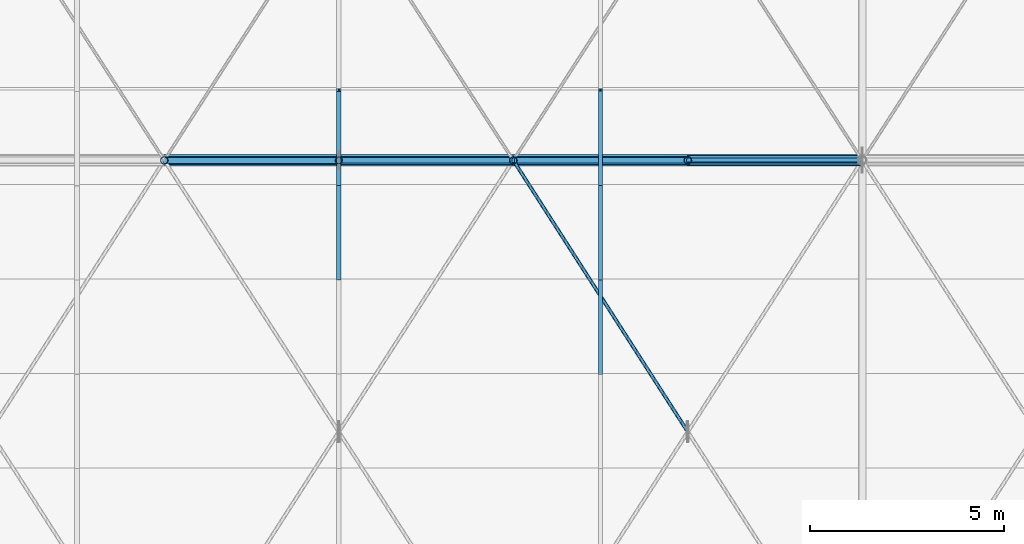
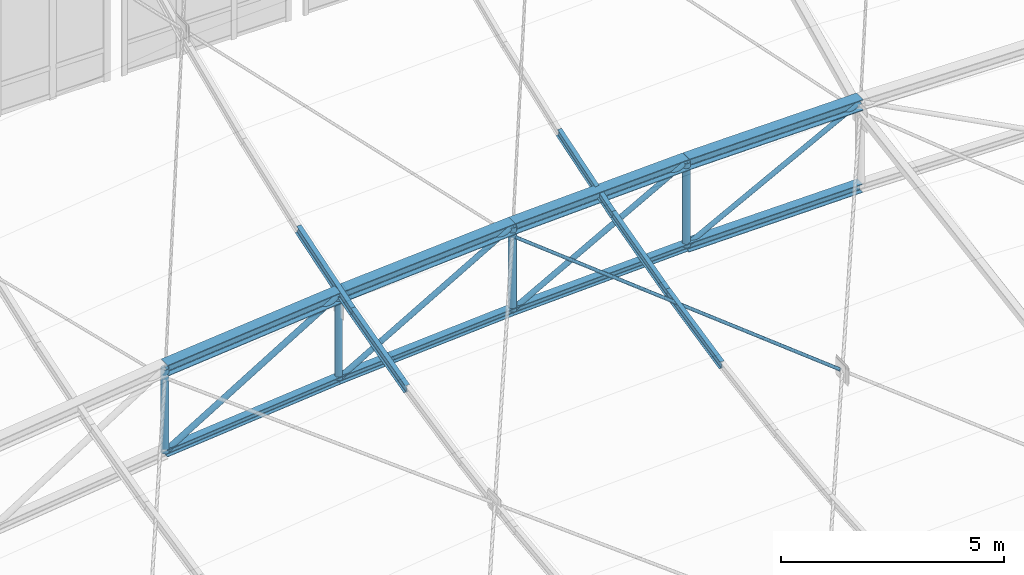
# One storey, part 177 of 262: 22 members.
"""IFC4 building model written with IfcOpenShell, lengths in metres."""

from ifc_helpers import new_model, si_unit, derived_unit, direction, frame, origin, origin_2d, place, context, subcontext, project, spatial, hollow_circle, i_section, extrude, material, material_profile, profile_set, type_object, element, save


model = new_model("IFC4")

# Units and contexts
model_context = context("Model", 3, precision=1e-05, world=origin(), true_north=direction((0.0, 1.0)))
body_context = subcontext(model_context, "Body", "Model", "MODEL_VIEW")
ifc_project = project(units=[si_unit("LENGTHUNIT", "METRE"), si_unit("AREAUNIT", "SQUARE_METRE"), si_unit("VOLUMEUNIT", "CUBIC_METRE"), si_unit("PLANEANGLEUNIT", "RADIAN"), si_unit("MASSUNIT", "GRAM", prefix="KILO"), derived_unit("THERMALTRANSMITTANCEUNIT", [(si_unit("POWERUNIT", "WATT"), 1), (si_unit("LENGTHUNIT", "METRE"), -2), (si_unit("THERMODYNAMICTEMPERATUREUNIT", "KELVIN"), -1)])], contexts=[model_context])

# Site, building, storey
site_placement = place(None, origin())
site = spatial("IfcSite", under=ifc_project, at=site_placement, CompositionType="ELEMENT")
building_placement = place(site_placement, origin())
building = spatial("IfcBuilding", under=site, at=building_placement, Name="Almenara Railside Exhibition Hall", CompositionType="ELEMENT")
storey_placement = place(building_placement, frame((0.0, 0.0, 21.699951171875)))
storey = spatial("IfcBuildingStorey", under=building, at=storey_placement, Name="RF", CompositionType="ELEMENT", Elevation=21.699951171875)

# Members
ifc_material = material(Name="Structural steel S355JR", Category="steel")
ifc_material_profile_1 = material_profile(ifc_material, i_section(OverallWidth=0.239990234375, OverallDepth=0.239990234375, WebThickness=0.010009765625, FlangeThickness=0.01708984375, FilletRadius=0.02099609375, at=origin_2d()), Name="HEB 240")
ifc_profile_set_1 = profile_set([ifc_material_profile_1], Name="Structural steel S355JR")
member_type_1 = type_object("IfcMemberType", Name="Arched Crown Bottom Chord HEB 240 S355JR", PredefinedType="CHORD", material=ifc_profile_set_1)
member_1_placement = place(storey_placement, frame((160.5, 118.0, -5.177490234375), z_axis=(0.999908030213, 0.0, 0.013562120635), x_axis=(0.0, 1.0, 0.0)))
element("IfcMember", 1, at=member_1_placement, inside=storey, type_object=member_type_1, Name="MEM-BC-V2-06-05", PredefinedType="CHORD", context=body_context, shape_type="SweptSolid", body=[
    extrude(i_section(OverallWidth=0.239990234375, OverallDepth=0.239990234375, WebThickness=0.010009765625, FlangeThickness=0.01708984375, FilletRadius=0.02099609375, at=origin_2d()), origin(), (0.0, 0.0, 1.0), 4.50048828125),
])
ifc_material_profile_2 = material_profile(ifc_material, i_section(OverallWidth=0.300048828125, OverallDepth=0.300048828125, WebThickness=0.010986328125, FlangeThickness=0.01904296875, FilletRadius=0.027099609375, at=origin_2d()), Name="HEB 300")
ifc_profile_set_2 = profile_set([ifc_material_profile_2], Name="Structural steel S355JR")
member_type_2 = type_object("IfcMemberType", Name="Arched Inner Top Chord HEB 300 S355JR", PredefinedType="CHORD", material=ifc_profile_set_2)
member_2_placement = place(storey_placement, frame((147.0, 118.0, -3.794189453125), z_axis=(0.995512933083, 0.0, 0.094625578275), x_axis=(0.0, 1.0, 0.0)))
element("IfcMember", 2, at=member_2_placement, inside=storey, type_object=member_type_2, Name="MEM-TC-V2-06-02", PredefinedType="CHORD", context=body_context, shape_type="SweptSolid", body=[
    extrude(i_section(OverallWidth=0.300048828125, OverallDepth=0.300048828125, WebThickness=0.010986328125, FlangeThickness=0.01904296875, FilletRadius=0.027099609375, at=origin_2d()), origin(), (0.0, 0.0, 1.0), 4.520263671875),
])
member_3_placement = place(storey_placement, frame((151.5, 118.0, -3.366455078125), z_axis=(0.997701025897, 0.0, 0.067769188608), x_axis=(0.0, 1.0, 0.0)))
element("IfcMember", 3, at=member_3_placement, inside=storey, type_object=member_type_2, Name="MEM-TC-V2-06-03", PredefinedType="CHORD", context=body_context, shape_type="SweptSolid", body=[
    extrude(i_section(OverallWidth=0.300048828125, OverallDepth=0.300048828125, WebThickness=0.010986328125, FlangeThickness=0.01904296875, FilletRadius=0.027099609375, at=origin_2d()), origin(), (0.0, 0.0, 1.0), 4.51025390625),
])
member_4_placement = place(storey_placement, frame((156.0, 118.0, -3.060791015625), z_axis=(0.99917098071, 0.0, 0.04071057978), x_axis=(0.0, 1.0, 0.0)))
element("IfcMember", 4, at=member_4_placement, inside=storey, type_object=member_type_2, Name="MEM-TC-V2-06-04", PredefinedType="CHORD", context=body_context, shape_type="SweptSolid", body=[
    extrude(i_section(OverallWidth=0.300048828125, OverallDepth=0.300048828125, WebThickness=0.010986328125, FlangeThickness=0.01904296875, FilletRadius=0.027099609375, at=origin_2d()), origin(), (0.0, 0.0, 1.0), 4.503662109375),
])
member_5_placement = place(storey_placement, frame((160.5, 118.0, -2.87744140625), z_axis=(0.999908030213, 0.0, 0.013562120635), x_axis=(0.0, 1.0, 0.0)))
element("IfcMember", 5, at=member_5_placement, inside=storey, type_object=member_type_2, Name="MEM-TC-V2-06-05", PredefinedType="CHORD", context=body_context, shape_type="SweptSolid", body=[
    extrude(i_section(OverallWidth=0.300048828125, OverallDepth=0.300048828125, WebThickness=0.010986328125, FlangeThickness=0.01904296875, FilletRadius=0.027099609375, at=origin_2d()), origin(), (0.0, 0.0, 1.0), 4.50048828125),
])
ifc_material_profile_3 = material_profile(ifc_material, i_section(OverallWidth=0.199951171875, OverallDepth=0.199951171875, WebThickness=0.009033203125, FlangeThickness=0.014892578125, FilletRadius=0.01806640625, at=origin_2d()), Name="HEB 200")
ifc_profile_set_3 = profile_set([ifc_material_profile_3], Name="Structural steel S355JR")
member_type_3 = type_object("IfcMemberType", Name="Canopy Collar Chord HEB 200 S355JR", PredefinedType="CHORD", material=ifc_profile_set_3)
member_6_placement = place(storey_placement, frame((147.0, 118.0, -6.09423828125), z_axis=(0.995512933083, 0.0, 0.094625578275), x_axis=(0.0, 1.0, 0.0)))
element("IfcMember", 6, at=member_6_placement, inside=storey, type_object=member_type_3, Name="MEM-BC-V2-06-02", PredefinedType="CHORD", context=body_context, shape_type="SweptSolid", body=[
    extrude(i_section(OverallWidth=0.199951171875, OverallDepth=0.199951171875, WebThickness=0.009033203125, FlangeThickness=0.014892578125, FilletRadius=0.01806640625, at=origin_2d()), origin(), (0.0, 0.0, 1.0), 4.520263671875),
])
member_7_placement = place(storey_placement, frame((151.5, 118.0, -5.66650390625), z_axis=(0.997701025897, 0.0, 0.067769188608), x_axis=(0.0, 1.0, 0.0)))
element("IfcMember", 7, at=member_7_placement, inside=storey, type_object=member_type_3, Name="MEM-BC-V2-06-03", PredefinedType="CHORD", context=body_context, shape_type="SweptSolid", body=[
    extrude(i_section(OverallWidth=0.199951171875, OverallDepth=0.199951171875, WebThickness=0.009033203125, FlangeThickness=0.014892578125, FilletRadius=0.01806640625, at=origin_2d()), origin(), (0.0, 0.0, 1.0), 4.51025390625),
])
member_8_placement = place(storey_placement, frame((156.0, 118.0, -5.36083984375), z_axis=(0.99917098071, 0.0, 0.04071057978), x_axis=(0.0, 1.0, 0.0)))
element("IfcMember", 8, at=member_8_placement, inside=storey, type_object=member_type_3, Name="MEM-BC-V2-06-04", PredefinedType="CHORD", context=body_context, shape_type="SweptSolid", body=[
    extrude(i_section(OverallWidth=0.199951171875, OverallDepth=0.199951171875, WebThickness=0.009033203125, FlangeThickness=0.014892578125, FilletRadius=0.01806640625, at=origin_2d()), origin(), (0.0, 0.0, 1.0), 4.503662109375),
])
ifc_material_profile_4 = material_profile(ifc_material, hollow_circle(Radius=0.04443359375, WallThickness=0.00390625, at=origin_2d()), Name="CHS 88.9x4")
ifc_profile_set_4 = profile_set([ifc_material_profile_4], Name="Structural steel S355JR")
member_type_4 = type_object("IfcMemberType", Name="Canopy Tie Brace CHS 88.9x4 S355JR", PredefinedType="BRACE", material=ifc_profile_set_4)
member_9_placement = place(storey_placement, frame((160.47412109375, 111.04052734375, -4.34716796875), z_axis=(-0.536816035855, 0.835014619562, 0.120744063069), x_axis=(-0.84116888765, -0.540772505264, 0.0)))
element("IfcMember", 9, at=member_9_placement, inside=storey, type_object=member_type_4, Name="MEM-WB-V2-WB-CHS89-05-04-S2", PredefinedType="BRACE", context=body_context, shape_type="SweptSolid", body=[
    extrude(hollow_circle(Radius=0.04443359375, WallThickness=0.00390625, at=origin_2d()), origin(), (0.0, 0.0, 1.0), 8.33447265625),
])
ifc_material_profile_5 = material_profile(ifc_material, i_section(OverallWidth=0.110107421875, OverallDepth=0.219970703125, WebThickness=0.005859375, FlangeThickness=0.00927734375, FilletRadius=0.011962890625, at=origin_2d()), Name="IPE 220")
ifc_profile_set_5 = profile_set([ifc_material_profile_5], Name="Structural steel S355JR")
member_type_5 = type_object("IfcMemberType", Name="Heavy Hall Roof Purlin IPE 220 S355JR", PredefinedType="PURLIN", material=ifc_profile_set_5)
member_10_placement = place(storey_placement, frame((158.25, 112.50634765625, -4.330078125), z_axis=(0.0, 0.977496103583, 0.210953472309), x_axis=(-1.0, 0.0, 0.0)))
element("IfcMember", 10, at=member_10_placement, inside=storey, type_object=member_type_5, Name="MEM-PR-V2-PR-IPE220-03-20", PredefinedType="PURLIN", context=body_context, shape_type="SweptSolid", body=[
    extrude(i_section(OverallWidth=0.110107421875, OverallDepth=0.219970703125, WebThickness=0.005859375, FlangeThickness=0.00927734375, FilletRadius=0.011962890625, at=origin_2d()), origin(), (0.0, 0.0, 1.0), 2.492919921875),
])
member_11_placement = place(storey_placement, frame((158.25, 114.943115234375, -3.807861328125), z_axis=(0.0, 0.966201190487, 0.257789176462), x_axis=(-1.0, 0.0, 0.0)))
element("IfcMember", 11, at=member_11_placement, inside=storey, type_object=member_type_5, Name="MEM-PR-V2-PR-IPE220-03-21", PredefinedType="PURLIN", context=body_context, shape_type="SweptSolid", body=[
    extrude(i_section(OverallWidth=0.110107421875, OverallDepth=0.219970703125, WebThickness=0.005859375, FlangeThickness=0.00927734375, FilletRadius=0.011962890625, at=origin_2d()), origin(), (0.0, 0.0, 1.0), 2.52197265625),
])
member_12_placement = place(storey_placement, frame((158.25, 117.3798828125, -3.162353515625), z_axis=(0.0, 0.952440767254, 0.304723784553), x_axis=(-1.0, 0.0, 0.0)))
element("IfcMember", 12, at=member_12_placement, inside=storey, type_object=member_type_5, Name="MEM-PR-V2-PR-IPE220-03-22", PredefinedType="PURLIN", context=body_context, shape_type="SweptSolid", body=[
    extrude(i_section(OverallWidth=0.110107421875, OverallDepth=0.219970703125, WebThickness=0.005859375, FlangeThickness=0.00927734375, FilletRadius=0.011962890625, at=origin_2d()), origin(), (0.0, 0.0, 1.0), 2.55810546875),
])
ifc_material_profile_6 = material_profile(ifc_material, i_section(OverallWidth=0.1201171875, OverallDepth=0.239990234375, WebThickness=0.006103515625, FlangeThickness=0.009765625, FilletRadius=0.014892578125, at=origin_2d()), Name="IPE 240")
ifc_profile_set_6 = profile_set([ifc_material_profile_6], Name="Structural steel S355JR")
member_type_6 = type_object("IfcMemberType", Name="Scroll Roof Purlin IPE 240 S355JR", PredefinedType="PURLIN", material=ifc_profile_set_6)
member_13_placement = place(storey_placement, frame((151.5, 114.943115234375, -4.095703125), z_axis=(0.0, 0.966201190487, 0.257789176462), x_axis=(-1.0, 0.0, 0.0)))
element("IfcMember", 13, at=member_13_placement, inside=storey, type_object=member_type_6, Name="MEM-PR-V2-PR-IPE240-02-21", PredefinedType="PURLIN", context=body_context, shape_type="SweptSolid", body=[
    extrude(i_section(OverallWidth=0.1201171875, OverallDepth=0.239990234375, WebThickness=0.006103515625, FlangeThickness=0.009765625, FilletRadius=0.014892578125, at=origin_2d()), origin(), (0.0, 0.0, 1.0), 2.52197265625),
])
member_14_placement = place(storey_placement, frame((151.5, 117.3798828125, -3.4501953125), z_axis=(0.0, 0.952440767254, 0.304723784553), x_axis=(-1.0, 0.0, 0.0)))
element("IfcMember", 14, at=member_14_placement, inside=storey, type_object=member_type_6, Name="MEM-PR-V2-PR-IPE240-02-22", PredefinedType="PURLIN", context=body_context, shape_type="SweptSolid", body=[
    extrude(i_section(OverallWidth=0.1201171875, OverallDepth=0.239990234375, WebThickness=0.006103515625, FlangeThickness=0.009765625, FilletRadius=0.014892578125, at=origin_2d()), origin(), (0.0, 0.0, 1.0), 2.55810546875),
])
ifc_material_profile_7 = material_profile(ifc_material, hollow_circle(Radius=0.0634765625, WallThickness=0.00439453125, at=origin_2d()), Name="CHS 127.0x4.5")
ifc_profile_set_7 = profile_set([ifc_material_profile_7], Name="Structural steel S355JR")
member_type_7 = type_object("IfcMemberType", Name="Truss Crown Diagonal CHS 127.0x4.5 S355JR", PredefinedType="BRACE", material=ifc_profile_set_7)
member_15_placement = place(storey_placement, frame((160.5, 118.0, -5.177490234375), z_axis=(0.885512555589, 0.0, 0.464615447326), x_axis=(0.0, 1.0, 0.0)))
element("IfcMember", 15, at=member_15_placement, inside=storey, type_object=member_type_7, Name="MEM-TD-V2-06-05", PredefinedType="BRACE", context=body_context, shape_type="SweptSolid", body=[
    extrude(hollow_circle(Radius=0.0634765625, WallThickness=0.00439453125, at=origin_2d()), origin(), (0.0, 0.0, 1.0), 5.081787109375),
])
ifc_material_profile_8 = material_profile(ifc_material, hollow_circle(Radius=0.06982421875, WallThickness=0.0048828125, at=origin_2d()), Name="CHS 139.7x5")
ifc_profile_set_8 = profile_set([ifc_material_profile_8], Name="Structural steel S355JR")
member_type_8 = type_object("IfcMemberType", Name="Truss Inner Diagonal CHS 139.7x5 S355JR", PredefinedType="BRACE", material=ifc_profile_set_8)
member_16_placement = place(storey_placement, frame((151.5, 118.0, -5.66650390625), z_axis=(0.865388781224, 0.0, 0.501101045031), x_axis=(0.0, 1.0, 0.0)))
element("IfcMember", 16, at=member_16_placement, inside=storey, type_object=member_type_8, Name="MEM-TD-V2-06-03", PredefinedType="BRACE", context=body_context, shape_type="SweptSolid", body=[
    extrude(hollow_circle(Radius=0.06982421875, WallThickness=0.0048828125, at=origin_2d()), origin(), (0.0, 0.0, 1.0), 5.199951171875),
])
member_17_placement = place(storey_placement, frame((156.0, 118.0, -5.36083984375), z_axis=(0.875525025835, 0.0, 0.483172773589), x_axis=(0.0, 1.0, 0.0)))
element("IfcMember", 17, at=member_17_placement, inside=storey, type_object=member_type_8, Name="MEM-TD-V2-06-04", PredefinedType="BRACE", context=body_context, shape_type="SweptSolid", body=[
    extrude(hollow_circle(Radius=0.06982421875, WallThickness=0.0048828125, at=origin_2d()), origin(), (0.0, 0.0, 1.0), 5.139892578125),
])
ifc_material_profile_9 = material_profile(ifc_material, hollow_circle(Radius=0.076171875, WallThickness=0.0048828125, at=origin_2d()), Name="CHS 152.4x5")
ifc_profile_set_9 = profile_set([ifc_material_profile_9], Name="Structural steel S355JR")
member_type_9 = type_object("IfcMemberType", Name="Truss Mid Diagonal CHS 152.4x5 S355JR", PredefinedType="BRACE", material=ifc_profile_set_9)
member_18_placement = place(storey_placement, frame((147.0, 118.0, -6.09423828125), z_axis=(0.855154829777, 0.0, 0.518372662386), x_axis=(0.0, 1.0, 0.0)))
element("IfcMember", 18, at=member_18_placement, inside=storey, type_object=member_type_9, Name="MEM-TD-V2-06-02", PredefinedType="BRACE", context=body_context, shape_type="SweptSolid", body=[
    extrude(hollow_circle(Radius=0.076171875, WallThickness=0.0048828125, at=origin_2d()), origin(), (0.0, 0.0, 1.0), 5.26220703125),
])
ifc_material_profile_10 = material_profile(ifc_material, hollow_circle(Radius=0.0888671875, WallThickness=0.006103515625, at=origin_2d()), Name="CHS 177.8x6")
ifc_profile_set_10 = profile_set([ifc_material_profile_10], Name="Structural steel S355JR")
member_type_10 = type_object("IfcMemberType", Name="Truss Quarter Vertical Strut CHS 177.8x6 S355JR", PredefinedType="BRACE", material=ifc_profile_set_10)
member_19_placement = place(storey_placement, frame((151.5, 118.0, -5.66650390625), z_axis=(0.0, 0.0, 1.0), x_axis=(1.0, 0.0, 0.0)))
element("IfcMember", 19, at=member_19_placement, inside=storey, type_object=member_type_10, Name="MEM-TV-V2-06-03", PredefinedType="BRACE", context=body_context, shape_type="SweptSolid", body=[
    extrude(hollow_circle(Radius=0.0888671875, WallThickness=0.006103515625, at=origin_2d()), origin(), (0.0, 0.0, 1.0), 2.300048828125),
])
ifc_material_profile_11 = material_profile(ifc_material, hollow_circle(Radius=0.096923828125, WallThickness=0.00634765625, at=origin_2d()), Name="CHS 193.7x6.3")
ifc_profile_set_11 = profile_set([ifc_material_profile_11], Name="Structural steel S355JR")
member_type_11 = type_object("IfcMemberType", Name="Truss Standard Vertical Strut CHS 193.7x6.3 S355JR", PredefinedType="BRACE", material=ifc_profile_set_11)
for number, where, z_axis, x_axis, name in (
    (20, (147.0, 118.0, -6.09423828125), (0.0, 0.0, 1.0), (1.0, 0.0, 0.0), "MEM-TV-V2-06-02"),
    (21, (156.0, 118.0, -5.36083984375), (0.0, 0.0, 1.0), (1.0, 0.0, 0.0), "MEM-TV-V2-06-04"),
    (22, (160.5, 118.0, -5.177490234375), (0.0, 0.0, 1.0), (1.0, 0.0, 0.0), "MEM-TV-V2-06-05"),
):
    element("IfcMember", number, at=place(storey_placement, frame(where, z_axis=z_axis, x_axis=x_axis)), inside=storey, type_object=member_type_11, Name=name, PredefinedType="BRACE", context=body_context, shape_type="SweptSolid", body=[
        extrude(hollow_circle(Radius=0.096923828125, WallThickness=0.00634765625, at=origin_2d()), origin(), (0.0, 0.0, 1.0), 2.300048828125),
    ])

save(model, "model.ifc")
